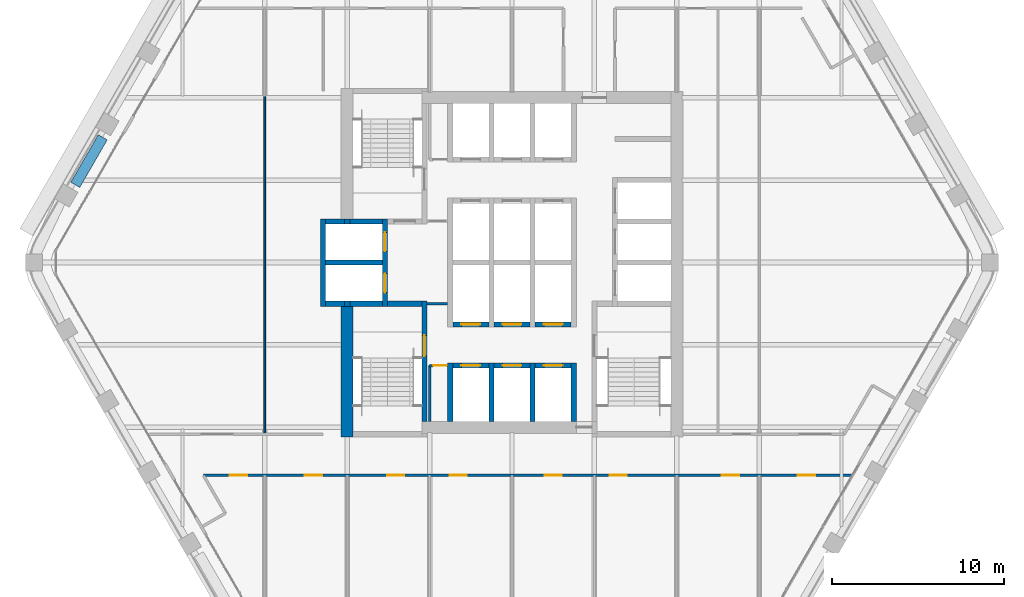
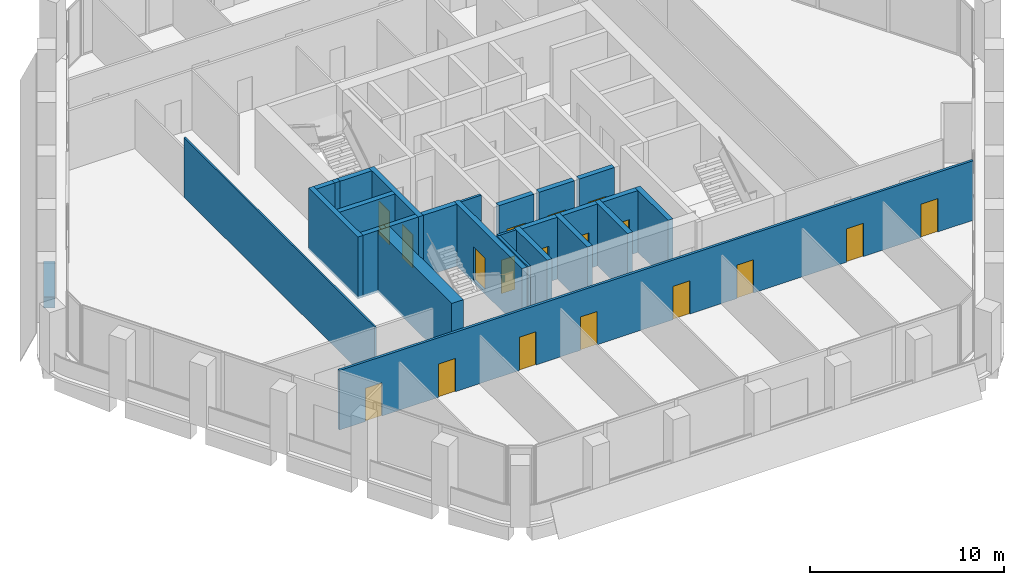
# One storey, part 9 of 15: 28 walls, 18 doors, 18 openings.
"""IFC4 building model written with IfcOpenShell, lengths in metres."""

import ifcopenshell
import ifcopenshell.guid

model = None  # the IFC model being written
_history = None  # IfcOwnerHistory: only IFC2X3 demands one
_inside = {}  # id of a spatial element -> (the spatial element, [elements in it])
_under = {}  # id of a project, library or spatial element -> (it, [spatial elements below it])
_declared = {}  # id of a project -> (the project, [libraries it declares])
_typed = {}  # id of a type object -> (the type object, [elements of that type])
_made_of = {}  # id of a material, layer set ... -> (it, [elements and type objects made of it])


def new_model(schema):
    """Start an empty IFC model of exactly this schema.

    Asked for "IFC4X3", IfcOpenShell would pick the latest addendum, in which some entities
    have other attributes; the version numbers below select the first issue.
    IFC2X3 requires an IfcOwnerHistory on every rooted entity: one is made here for all.
    """
    global model, _history
    if schema == "IFC4X3":
        model = ifcopenshell.file(schema_version=(4, 3, 0, 0))
    else:
        model = ifcopenshell.file(schema=schema)
    _inside.clear()
    _under.clear()
    _declared.clear()
    _typed.clear()
    _made_of.clear()
    _history = None
    if model.schema == "IFC2X3":
        org = make("IfcOrganization", Name="unknown")
        user = make(
            "IfcPersonAndOrganization",
            ThePerson=make("IfcPerson", FamilyName="unknown"),
            TheOrganization=org,
        )
        app = make(
            "IfcApplication",
            ApplicationDeveloper=org,
            Version="unknown",
            ApplicationFullName="unknown",
            ApplicationIdentifier="unknown",
        )
        _history = make(
            "IfcOwnerHistory",
            OwningUser=user,
            OwningApplication=app,
            ChangeAction="ADDED",
            CreationDate=0,
        )
    return model


def make(cls, **values):
    """One entity of the class cls with the attributes given. An attribute that is None is left unset."""
    return model.create_entity(
        cls, **{name: value for name, value in values.items() if value is not None}
    )


def rooted(cls, **values):
    """An entity with a GlobalId (a new one), such as an element, a storey or a relation."""
    return make(cls, GlobalId=ifcopenshell.guid.new(), OwnerHistory=_history, **values)


def si_unit(unit_type, name, prefix=None):
    """IfcSIUnit, for example si_unit("LENGTHUNIT", "METRE", prefix="MILLI")."""
    return make("IfcSIUnit", UnitType=unit_type, Prefix=prefix, Name=name)


def assignment(units):
    """IfcUnitAssignment: the units of a project."""
    return None if units is None else make("IfcUnitAssignment", Units=units)


def point(xyz):
    """IfcCartesianPoint."""
    return None if xyz is None else make("IfcCartesianPoint", Coordinates=xyz)


def direction(xyz):
    """IfcDirection."""
    return None if xyz is None else make("IfcDirection", DirectionRatios=xyz)


def frame(location, z_axis=None, x_axis=None):
    """IfcAxis2Placement3D, a coordinate frame: its origin and axes. An axis left out is left unset."""
    return make(
        "IfcAxis2Placement3D",
        Location=point(location),
        Axis=direction(z_axis),
        RefDirection=direction(x_axis),
    )


def frame_2d(location, x_axis=None):
    """IfcAxis2Placement2D, a coordinate frame in the plane: its origin and x axis."""
    return make(
        "IfcAxis2Placement2D", Location=point(location), RefDirection=direction(x_axis)
    )


def origin():
    """The frame at (0, 0, 0) with its axes left unset."""
    return frame((0.0, 0.0, 0.0))


def place(relative_to, where):
    """IfcLocalPlacement: puts the frame where relative to a parent placement (None: the world)."""
    return make(
        "IfcLocalPlacement", PlacementRelTo=relative_to, RelativePlacement=where
    )


def context(
    kind, dimensions, precision=None, world=None, true_north=None, identifier=None
):
    """IfcGeometricRepresentationContext, for example the 3D "Model" context."""
    return make(
        "IfcGeometricRepresentationContext",
        ContextIdentifier=identifier,
        ContextType=kind,
        CoordinateSpaceDimension=dimensions,
        Precision=precision,
        WorldCoordinateSystem=world,
        TrueNorth=true_north,
    )


def subcontext(parent, identifier, kind, view, scale=None):
    """IfcGeometricRepresentationSubContext, for example "Body" below "Model"."""
    return make(
        "IfcGeometricRepresentationSubContext",
        ContextIdentifier=identifier,
        ContextType=kind,
        ParentContext=parent,
        TargetScale=scale,
        TargetView=view,
    )


def project(units=None, contexts=None):
    """IfcProject with its units and contexts."""
    return rooted(
        "IfcProject",
        Name="project",
        RepresentationContexts=contexts,
        UnitsInContext=assignment(units),
    )


def spatial(cls, under=None, at=None, **own):
    """A site, building, storey or space (cls), placed at a placement, below another one or the project."""
    s = rooted(cls, ObjectPlacement=at, **own)
    if under is not None:
        _under.setdefault(under.id(), (under, []))[1].append(s)
    return s


def profile(cls, at=None, kind="AREA", **sizes):
    """A parametric profile (cls). Its sizes go by their IFC names, for example OverallWidth=200.0."""
    return make(cls, ProfileType=kind, Position=at, **sizes)


def rectangle(**sizes):
    """IfcRectangleProfileDef."""
    return profile("IfcRectangleProfileDef", **sizes)


def extrude(swept, where, along, depth):
    """IfcExtrudedAreaSolid: the profile swept, set in the frame where, extruded along a direction by depth."""
    return make(
        "IfcExtrudedAreaSolid",
        SweptArea=swept,
        Position=where,
        ExtrudedDirection=direction(along),
        Depth=depth,
    )


def shape(context_of_items, identifier, shape_type, items):
    """IfcShapeRepresentation: the items that make up one representation, for example the "Body"."""
    return make(
        "IfcShapeRepresentation",
        ContextOfItems=context_of_items,
        RepresentationIdentifier=identifier,
        RepresentationType=shape_type,
        Items=items,
    )


def material(Name=None, Category=None):
    """IfcMaterial."""
    return make("IfcMaterial", Name=Name, Category=Category)


def layer(
    of_material, thickness, ventilated=None, Name=None, Category=None, Priority=None
):
    """IfcMaterialLayer: one layer of a wall or slab, of a material (None: an air gap)."""
    return make(
        "IfcMaterialLayer",
        Material=of_material,
        LayerThickness=thickness,
        IsVentilated=ventilated,
        Name=Name,
        Category=Category,
        Priority=Priority,
    )


def layer_set(layers, Name=None):
    """IfcMaterialLayerSet."""
    return make("IfcMaterialLayerSet", MaterialLayers=layers, LayerSetName=Name)


def made_of(thing, what):
    """Note that an element or type object is made of a material, layer set ...; save() writes the relation."""
    if what is not None:
        _made_of.setdefault(what.id(), (what, []))[1].append(thing)
    return thing


def type_object(cls, material=None, **own):
    """A type object (cls), such as IfcWallType, which elements share."""
    return made_of(rooted(cls, **own), material)


def element(
    cls,
    number,
    at=None,
    inside=None,
    cuts=None,
    type_object=None,
    material=None,
    context=None,
    identifier="Body",
    shape_type=None,
    held_by="IfcProductDefinitionShape",
    body=None,
    shapes=None,
    **own,
):
    """One element of the class cls, such as IfcWall. Its Tag is "e" and its number.

    at: its placement. inside: the storey or other place that contains it. cuts: it is an
    opening in that element (IfcRelVoidsElement). A single representation is given by context,
    identifier, shape_type and body (its items); several are given by shapes. held_by: the class
    of the entity that holds the representations. save() writes the other relations.
    """
    e = rooted(cls, Tag="e%d" % number, ObjectPlacement=at, **own)
    if body is not None:
        shapes = [shape(context, identifier, shape_type, body)]
    if shapes is not None:
        e.Representation = make(held_by, Representations=shapes)
    if inside is not None:
        _inside.setdefault(inside.id(), (inside, []))[1].append(e)
    if cuts is not None:
        rooted(
            "IfcRelVoidsElement", RelatingBuildingElement=cuts, RelatedOpeningElement=e
        )
    if type_object is not None:
        _typed.setdefault(type_object.id(), (type_object, []))[1].append(e)
    return made_of(e, material)


def fill(opening, filler):
    """IfcRelFillsElement: the door or window that sits in an opening."""
    return rooted(
        "IfcRelFillsElement",
        RelatingOpeningElement=opening,
        RelatedBuildingElement=filler,
    )


def aggregate(whole, parts):
    """IfcRelAggregates: a whole, such as a stair, and the parts it consists of."""
    return rooted("IfcRelAggregates", RelatingObject=whole, RelatedObjects=parts)


def save(model, path):
    """Write the relations noted so far, then the file.

    IfcRelAggregates (storeys below a building ...), IfcRelContainedInSpatialStructure (elements
    in a storey), IfcRelDefinesByType, IfcRelAssociatesMaterial and IfcRelDeclares: one each for
    every whole, place, type object, material and project.
    """
    for whole, parts in _under.values():
        aggregate(whole, parts)
    for where, things in _inside.values():
        rooted(
            "IfcRelContainedInSpatialStructure",
            RelatedElements=things,
            RelatingStructure=where,
        )
    for kind, things in _typed.values():
        rooted("IfcRelDefinesByType", RelatedObjects=things, RelatingType=kind)
    for what, things in _made_of.values():
        rooted("IfcRelAssociatesMaterial", RelatedObjects=things, RelatingMaterial=what)
    for by, libraries in _declared.values():
        rooted("IfcRelDeclares", RelatingContext=by, RelatedDefinitions=libraries)
    model.write(path)


model = new_model("IFC4")

# Units and contexts
model_context = context("Model", 3, precision=1e-05, world=origin(), true_north=direction((0.0, 1.0)))
body_context = subcontext(model_context, "Body", "Model", "MODEL_VIEW")
ifc_project = project(units=[si_unit("LENGTHUNIT", "METRE"), si_unit("AREAUNIT", "SQUARE_METRE"), si_unit("VOLUMEUNIT", "CUBIC_METRE"), si_unit("PLANEANGLEUNIT", "RADIAN"), si_unit("MASSUNIT", "GRAM", prefix="KILO")], contexts=[model_context])

# Site, building, storey
site_placement = place(None, origin())
site = spatial("IfcSite", under=ifc_project, at=site_placement, CompositionType="ELEMENT")
building_placement = place(site_placement, origin())
building = spatial("IfcBuilding", under=site, at=building_placement, Name="Kolab Exchange Tower", CompositionType="ELEMENT")
storey_placement = place(building_placement, frame((0.0, 0.0, 185.60009765625)))
storey = spatial("IfcBuildingStorey", under=building, at=storey_placement, Name="L39", CompositionType="ELEMENT", Elevation=185.60009765625)

# Wall
ifc_material_1 = material(Name="Concrete C60/75", Category="concrete")
ifc_layer_1 = layer(ifc_material_1, 0.699951171875)
ifc_layer_set_1 = layer_set([ifc_layer_1], Name="Concrete C60/75")
wall_type_1 = type_object("IfcWallType", Name="CORE WALL 700 C60/75", PredefinedType="SHEAR", material=ifc_layer_set_1)
wall_1_placement = place(storey_placement, frame((-9.60009765625, -10.14990234375, -0.150146484375), z_axis=(0.0, 0.0, 1.0), x_axis=(0.0, 1.0, 0.0)))
element("IfcWall", 1, at=wall_1_placement, inside=storey, type_object=wall_type_1, Name="wall/L39/core/034", PredefinedType="SHEAR", context=body_context, shape_type="SweptSolid", body=[
    extrude(rectangle(XDim=7.599853515625, YDim=0.699951171875, at=frame_2d((3.7998046875, 0.0))), origin(), (0.0, 0.0, 1.0), 3.900146484375),
])

# Wall, opening, door
ifc_material_2 = material(Name="Concrete C50/60", Category="concrete")
ifc_layer_2 = layer(ifc_material_2, 0.300048828125)
ifc_layer_set_2 = layer_set([ifc_layer_2], Name="Concrete C50/60")
wall_type_2 = type_object("IfcWallType", Name="LIFT SHAFT WALL 300 C50/60", PredefinedType="STANDARD", material=ifc_layer_set_2)
wall_2_placement = place(storey_placement, frame((-3.449951171875, -6.0, -0.150146484375), z_axis=(0.0, 0.0, 1.0), x_axis=(1.0, 0.0, 0.0)))
wall_2 = element("IfcWall", 2, at=wall_2_placement, inside=storey, type_object=wall_type_2, Name="wall/L39/core/003", PredefinedType="STANDARD", context=body_context, shape_type="SweptSolid", body=[
    extrude(rectangle(XDim=2.099853515625, YDim=0.300048828125, at=frame_2d((1.0498046875, 0.0))), origin(), (0.0, 0.0, 1.0), 3.900146484375),
])
opening_1_placement = place(wall_2_placement, frame((0.5, 0.0, 0.14990234375)))
opening_1 = element("IfcOpeningElement", 3, at=opening_1_placement, cuts=wall_2, Name="Opening LD1-110", PredefinedType="OPENING", context=body_context, shape_type="SweptSolid", body=[
    extrude(rectangle(XDim=1.10009765625, YDim=2.10009765625, at=frame_2d((0.550048828125, 1.050048828125))), frame((0.0, 0.16015625, 0.0), z_axis=(0.0, -1.0, 0.0), x_axis=(1.0, 0.0, 0.0)), (0.0, 0.0, 1.0), 0.320068359375),
])
ifc_material_3 = material(Name="Stainless steel 316", Category="steel")
door_type_1 = type_object("IfcDoorType", Name="LANDING DOOR 1100 PASSENGER", OperationType="DOUBLE_DOOR_SLIDING", PredefinedType="DOOR", material=ifc_material_3)
door_1_placement = place(opening_1_placement, origin())
door_1 = element("IfcDoor", 4, at=door_1_placement, inside=storey, type_object=door_type_1, Name="Landing door HR10", OperationType="DOUBLE_DOOR_SLIDING", OverallHeight=2.10009765625, OverallWidth=1.10009765625, PredefinedType="DOOR", context=body_context, shape_type="SweptSolid", body=[
    extrude(rectangle(XDim=1.10009765625, YDim=2.10009765625, at=frame_2d((0.550048828125, 1.050048828125))), frame((0.0, 0.02490234375, 0.0), z_axis=(0.0, -1.0, 0.0), x_axis=(1.0, 0.0, 0.0)), (0.0, 0.0, 1.0), 0.050048828125),
])
fill(opening_1, door_1)

wall_3_placement = place(storey_placement, frame((-1.050048828125, -6.0, -0.150146484375), z_axis=(0.0, 0.0, 1.0), x_axis=(1.0, 0.0, 0.0)))
wall_3 = element("IfcWall", 5, at=wall_3_placement, inside=storey, type_object=wall_type_2, Name="wall/L39/core/004", PredefinedType="STANDARD", context=body_context, shape_type="SweptSolid", body=[
    extrude(rectangle(XDim=2.10009765625, YDim=0.300048828125, at=frame_2d((1.050048828125, 0.0))), origin(), (0.0, 0.0, 1.0), 3.900146484375),
])
opening_2_placement = place(wall_3_placement, frame((0.5, 0.0, 0.14990234375)))
opening_2 = element("IfcOpeningElement", 6, at=opening_2_placement, cuts=wall_3, Name="Opening LD1-111", PredefinedType="OPENING", context=body_context, shape_type="SweptSolid", body=[
    extrude(rectangle(XDim=1.10009765625, YDim=2.10009765625, at=frame_2d((0.550048828125, 1.050048828125))), frame((0.0, 0.16015625, 0.0), z_axis=(0.0, -1.0, 0.0), x_axis=(1.0, 0.0, 0.0)), (0.0, 0.0, 1.0), 0.320068359375),
])
door_2_placement = place(opening_2_placement, origin())
door_2 = element("IfcDoor", 7, at=door_2_placement, inside=storey, type_object=door_type_1, Name="Landing door HR11", OperationType="DOUBLE_DOOR_SLIDING", OverallHeight=2.10009765625, OverallWidth=1.10009765625, PredefinedType="DOOR", context=body_context, shape_type="SweptSolid", body=[
    extrude(rectangle(XDim=1.10009765625, YDim=2.10009765625, at=frame_2d((0.550048828125, 1.050048828125))), frame((0.0, 0.02490234375, 0.0), z_axis=(0.0, -1.0, 0.0), x_axis=(1.0, 0.0, 0.0)), (0.0, 0.0, 1.0), 0.050048828125),
])
fill(opening_2, door_2)

wall_4_placement = place(storey_placement, frame((1.35009765625, -6.0, -0.150146484375), z_axis=(0.0, 0.0, 1.0), x_axis=(1.0, 0.0, 0.0)))
wall_4 = element("IfcWall", 8, at=wall_4_placement, inside=storey, type_object=wall_type_2, Name="wall/L39/core/005", PredefinedType="STANDARD", context=body_context, shape_type="SweptSolid", body=[
    extrude(rectangle(XDim=2.099853515625, YDim=0.300048828125, at=frame_2d((1.0498046875, 0.0))), origin(), (0.0, 0.0, 1.0), 3.900146484375),
])
opening_3_placement = place(wall_4_placement, frame((0.5, 0.0, 0.14990234375)))
opening_3 = element("IfcOpeningElement", 9, at=opening_3_placement, cuts=wall_4, Name="Opening LD1-112", PredefinedType="OPENING", context=body_context, shape_type="SweptSolid", body=[
    extrude(rectangle(XDim=1.10009765625, YDim=2.10009765625, at=frame_2d((0.550048828125, 1.050048828125))), frame((0.0, 0.16015625, 0.0), z_axis=(0.0, -1.0, 0.0), x_axis=(1.0, 0.0, 0.0)), (0.0, 0.0, 1.0), 0.320068359375),
])
door_3_placement = place(opening_3_placement, origin())
door_3 = element("IfcDoor", 10, at=door_3_placement, inside=storey, type_object=door_type_1, Name="Landing door HR12", OperationType="DOUBLE_DOOR_SLIDING", OverallHeight=2.10009765625, OverallWidth=1.10009765625, PredefinedType="DOOR", context=body_context, shape_type="SweptSolid", body=[
    extrude(rectangle(XDim=1.10009765625, YDim=2.10009765625, at=frame_2d((0.550048828125, 1.050048828125))), frame((0.0, 0.02490234375, 0.0), z_axis=(0.0, -1.0, 0.0), x_axis=(1.0, 0.0, 0.0)), (0.0, 0.0, 1.0), 0.050048828125),
])
fill(opening_3, door_3)

wall_5_placement = place(storey_placement, frame((-3.449951171875, -3.60009765625, -0.150146484375), z_axis=(0.0, 0.0, 1.0), x_axis=(1.0, 0.0, 0.0)))
wall_5 = element("IfcWall", 11, at=wall_5_placement, inside=storey, type_object=wall_type_2, Name="wall/L39/core/006", PredefinedType="STANDARD", context=body_context, shape_type="SweptSolid", body=[
    extrude(rectangle(XDim=2.099853515625, YDim=0.300048828125, at=frame_2d((1.0498046875, 0.0))), origin(), (0.0, 0.0, 1.0), 3.900146484375),
])
opening_4_placement = place(wall_5_placement, frame((0.5, 0.0, 0.14990234375)))
opening_4 = element("IfcOpeningElement", 12, at=opening_4_placement, cuts=wall_5, Name="Opening LD1-118", PredefinedType="OPENING", context=body_context, shape_type="SweptSolid", body=[
    extrude(rectangle(XDim=1.10009765625, YDim=2.10009765625, at=frame_2d((0.550048828125, 1.050048828125))), frame((0.0, 0.16015625, 0.0), z_axis=(0.0, -1.0, 0.0), x_axis=(1.0, 0.0, 0.0)), (0.0, 0.0, 1.0), 0.320068359375),
])
door_4_placement = place(opening_4_placement, origin())
door_4 = element("IfcDoor", 13, at=door_4_placement, inside=storey, type_object=door_type_1, Name="Landing door HR7", OperationType="DOUBLE_DOOR_SLIDING", OverallHeight=2.10009765625, OverallWidth=1.10009765625, PredefinedType="DOOR", context=body_context, shape_type="SweptSolid", body=[
    extrude(rectangle(XDim=1.10009765625, YDim=2.10009765625, at=frame_2d((0.550048828125, 1.050048828125))), frame((0.0, 0.02490234375, 0.0), z_axis=(0.0, -1.0, 0.0), x_axis=(1.0, 0.0, 0.0)), (0.0, 0.0, 1.0), 0.050048828125),
])
fill(opening_4, door_4)

wall_6_placement = place(storey_placement, frame((-1.050048828125, -3.60009765625, -0.150146484375), z_axis=(0.0, 0.0, 1.0), x_axis=(1.0, 0.0, 0.0)))
wall_6 = element("IfcWall", 14, at=wall_6_placement, inside=storey, type_object=wall_type_2, Name="wall/L39/core/007", PredefinedType="STANDARD", context=body_context, shape_type="SweptSolid", body=[
    extrude(rectangle(XDim=2.10009765625, YDim=0.300048828125, at=frame_2d((1.050048828125, 0.0))), origin(), (0.0, 0.0, 1.0), 3.900146484375),
])
opening_5_placement = place(wall_6_placement, frame((0.5, 0.0, 0.14990234375)))
opening_5 = element("IfcOpeningElement", 15, at=opening_5_placement, cuts=wall_6, Name="Opening LD1-119", PredefinedType="OPENING", context=body_context, shape_type="SweptSolid", body=[
    extrude(rectangle(XDim=1.10009765625, YDim=2.10009765625, at=frame_2d((0.550048828125, 1.050048828125))), frame((0.0, 0.16015625, 0.0), z_axis=(0.0, -1.0, 0.0), x_axis=(1.0, 0.0, 0.0)), (0.0, 0.0, 1.0), 0.320068359375),
])
door_5_placement = place(opening_5_placement, origin())
door_5 = element("IfcDoor", 16, at=door_5_placement, inside=storey, type_object=door_type_1, Name="Landing door HR8", OperationType="DOUBLE_DOOR_SLIDING", OverallHeight=2.10009765625, OverallWidth=1.10009765625, PredefinedType="DOOR", context=body_context, shape_type="SweptSolid", body=[
    extrude(rectangle(XDim=1.10009765625, YDim=2.10009765625, at=frame_2d((0.550048828125, 1.050048828125))), frame((0.0, 0.02490234375, 0.0), z_axis=(0.0, -1.0, 0.0), x_axis=(1.0, 0.0, 0.0)), (0.0, 0.0, 1.0), 0.050048828125),
])
fill(opening_5, door_5)

wall_7_placement = place(storey_placement, frame((1.35009765625, -3.60009765625, -0.150146484375), z_axis=(0.0, 0.0, 1.0), x_axis=(1.0, 0.0, 0.0)))
wall_7 = element("IfcWall", 17, at=wall_7_placement, inside=storey, type_object=wall_type_2, Name="wall/L39/core/008", PredefinedType="STANDARD", context=body_context, shape_type="SweptSolid", body=[
    extrude(rectangle(XDim=2.099853515625, YDim=0.300048828125, at=frame_2d((1.0498046875, 0.0))), origin(), (0.0, 0.0, 1.0), 3.900146484375),
])
opening_6_placement = place(wall_7_placement, frame((0.5, 0.0, 0.14990234375)))
opening_6 = element("IfcOpeningElement", 18, at=opening_6_placement, cuts=wall_7, Name="Opening LD1-120", PredefinedType="OPENING", context=body_context, shape_type="SweptSolid", body=[
    extrude(rectangle(XDim=1.10009765625, YDim=2.10009765625, at=frame_2d((0.550048828125, 1.050048828125))), frame((0.0, 0.16015625, 0.0), z_axis=(0.0, -1.0, 0.0), x_axis=(1.0, 0.0, 0.0)), (0.0, 0.0, 1.0), 0.320068359375),
])
door_6_placement = place(opening_6_placement, origin())
door_6 = element("IfcDoor", 19, at=door_6_placement, inside=storey, type_object=door_type_1, Name="Landing door HR9", OperationType="DOUBLE_DOOR_SLIDING", OverallHeight=2.10009765625, OverallWidth=1.10009765625, PredefinedType="DOOR", context=body_context, shape_type="SweptSolid", body=[
    extrude(rectangle(XDim=1.10009765625, YDim=2.10009765625, at=frame_2d((0.550048828125, 1.050048828125))), frame((0.0, 0.02490234375, 0.0), z_axis=(0.0, -1.0, 0.0), x_axis=(1.0, 0.0, 0.0)), (0.0, 0.0, 1.0), 0.050048828125),
])
fill(opening_6, door_6)

# Walls
wall_8_placement = place(storey_placement, frame((-10.85009765625, -2.39990234375, -0.150146484375), z_axis=(0.0, 0.0, 1.0), x_axis=(1.0, 0.0, 0.0)))
element("IfcWall", 20, at=wall_8_placement, inside=storey, type_object=wall_type_2, Name="wall/L39/core/009", PredefinedType="STANDARD", context=body_context, shape_type="SweptSolid", body=[
    extrude(rectangle(XDim=1.10009765625, YDim=0.300048828125, at=frame_2d((0.550048828125, 0.0))), origin(), (0.0, 0.0, 1.0), 3.900146484375),
])
wall_9_placement = place(storey_placement, frame((-10.85009765625, 0.0, -0.150146484375), z_axis=(0.0, 0.0, 1.0), x_axis=(1.0, 0.0, 0.0)))
element("IfcWall", 21, at=wall_9_placement, inside=storey, type_object=wall_type_2, Name="wall/L39/core/014", PredefinedType="STANDARD", context=body_context, shape_type="SweptSolid", body=[
    extrude(rectangle(XDim=3.300048828125, YDim=0.300048828125, at=frame_2d((1.64990234375, 0.0))), origin(), (0.0, 0.0, 1.0), 3.900146484375),
])
wall_10_placement = place(storey_placement, frame((-10.85009765625, 2.39990234375, -0.150146484375), z_axis=(0.0, 0.0, 1.0), x_axis=(1.0, 0.0, 0.0)))
element("IfcWall", 22, at=wall_10_placement, inside=storey, type_object=wall_type_2, Name="wall/L39/core/019", PredefinedType="STANDARD", context=body_context, shape_type="SweptSolid", body=[
    extrude(rectangle(XDim=1.10009765625, YDim=0.300048828125, at=frame_2d((0.550048828125, 0.0))), origin(), (0.0, 0.0, 1.0), 3.900146484375),
])
wall_11_placement = place(storey_placement, frame((-11.0, -2.550048828125, -0.150146484375), z_axis=(0.0, 0.0, 1.0), x_axis=(0.0, 1.0, 0.0)))
element("IfcWall", 23, at=wall_11_placement, inside=storey, type_object=wall_type_2, Name="wall/L39/core/033", PredefinedType="STANDARD", context=body_context, shape_type="SweptSolid", body=[
    extrude(rectangle(XDim=5.10009765625, YDim=0.300048828125, at=frame_2d((2.550048828125, 0.0))), origin(), (0.0, 0.0, 1.0), 3.900146484375),
])

# Wall, openings, doors
wall_12_placement = place(storey_placement, frame((-7.39990234375, -2.550048828125, -0.150146484375), z_axis=(0.0, 0.0, 1.0), x_axis=(0.0, 1.0, 0.0)))
wall_12 = element("IfcWall", 24, at=wall_12_placement, inside=storey, type_object=wall_type_2, Name="wall/L39/core/038", PredefinedType="STANDARD", context=body_context, shape_type="SweptSolid", body=[
    extrude(rectangle(XDim=5.10009765625, YDim=0.300048828125, at=frame_2d((2.550048828125, 0.0))), origin(), (0.0, 0.0, 1.0), 3.900146484375),
])
opening_7_placement = place(wall_12_placement, frame((0.800048828125, 0.0, 0.14990234375)))
opening_7 = element("IfcOpeningElement", 25, at=opening_7_placement, cuts=wall_12, Name="Opening LD2-025", PredefinedType="OPENING", context=body_context, shape_type="SweptSolid", body=[
    extrude(rectangle(XDim=1.10009765625, YDim=2.10009765625, at=frame_2d((0.550048828125, 1.050048828125))), frame((0.0, 0.16015625, 0.0), z_axis=(0.0, -1.0, 0.0), x_axis=(1.0, 0.0, 0.0)), (0.0, 0.0, 1.0), 0.320068359375),
])
opening_8_placement = place(wall_12_placement, frame((3.199951171875, 0.0, 0.14990234375)))
opening_8 = element("IfcOpeningElement", 26, at=opening_8_placement, cuts=wall_12, Name="Opening LD2-026", PredefinedType="OPENING", context=body_context, shape_type="SweptSolid", body=[
    extrude(rectangle(XDim=1.10009765625, YDim=2.10009765625, at=frame_2d((0.550048828125, 1.050048828125))), frame((0.0, 0.16015625, 0.0), z_axis=(0.0, -1.0, 0.0), x_axis=(1.0, 0.0, 0.0)), (0.0, 0.0, 1.0), 0.320068359375),
])
door_type_2 = type_object("IfcDoorType", Name="LANDING DOOR 1100 FIREFIGHTING", OperationType="DOUBLE_DOOR_SLIDING", PredefinedType="DOOR", material=ifc_material_3)
door_7_placement = place(opening_7_placement, origin())
door_7 = element("IfcDoor", 27, at=door_7_placement, inside=storey, type_object=door_type_2, Name="Landing door FF1", OperationType="DOUBLE_DOOR_SLIDING", OverallHeight=2.10009765625, OverallWidth=1.10009765625, PredefinedType="DOOR", context=body_context, shape_type="SweptSolid", body=[
    extrude(rectangle(XDim=1.10009765625, YDim=2.10009765625, at=frame_2d((0.550048828125, 1.050048828125))), frame((0.0, 0.02490234375, 0.0), z_axis=(0.0, -1.0, 0.0), x_axis=(1.0, 0.0, 0.0)), (0.0, 0.0, 1.0), 0.050048828125),
])
fill(opening_7, door_7)
door_8_placement = place(opening_8_placement, origin())
door_8 = element("IfcDoor", 28, at=door_8_placement, inside=storey, type_object=door_type_2, Name="Landing door FF2", OperationType="DOUBLE_DOOR_SLIDING", OverallHeight=2.10009765625, OverallWidth=1.10009765625, PredefinedType="DOOR", context=body_context, shape_type="SweptSolid", body=[
    extrude(rectangle(XDim=1.10009765625, YDim=2.10009765625, at=frame_2d((0.550048828125, 1.050048828125))), frame((0.0, 0.02490234375, 0.0), z_axis=(0.0, -1.0, 0.0), x_axis=(1.0, 0.0, 0.0)), (0.0, 0.0, 1.0), 0.050048828125),
])
fill(opening_8, door_8)

# Walls
for number, where, z_axis, x_axis, name in (
    (29, (-3.60009765625, -9.25, -0.150146484375), (0.0, 0.0, 1.0), (0.0, 1.0, 0.0), "wall/L39/core/043"),
    (30, (-1.199951171875, -9.25, -0.150146484375), (0.0, 0.0, 1.0), (0.0, 1.0, 0.0), "wall/L39/core/046"),
    (31, (1.199951171875, -9.25, -0.150146484375), (0.0, 0.0, 1.0), (0.0, 1.0, 0.0), "wall/L39/core/049"),
    (32, (3.60009765625, -9.25, -0.150146484375), (0.0, 0.0, 1.0), (0.0, 1.0, 0.0), "wall/L39/core/052"),
):
    element("IfcWall", number, at=place(storey_placement, frame(where, z_axis=z_axis, x_axis=x_axis)), inside=storey, type_object=wall_type_2, Name=name, PredefinedType="STANDARD", context=body_context, shape_type="SweptSolid", body=[
        extrude(rectangle(XDim=3.39990234375, YDim=0.300048828125, at=frame_2d((1.699951171875, 0.0))), origin(), (0.0, 0.0, 1.0), 3.900146484375),
    ])
ifc_material_4 = material(Name="Gypsum board", Category="gypsum")
ifc_layer_3 = layer(ifc_material_4, 0.10009765625)
ifc_layer_set_3 = layer_set([ifc_layer_3], Name="Gypsum board")
wall_type_3 = type_object("IfcWallType", Name="PARTITION 100", PredefinedType="PARTITIONING", material=ifc_layer_set_3)
wall_13_placement = place(storey_placement, frame((-14.39990234375, -10.0, 0.0), z_axis=(0.0, 0.0, 1.0), x_axis=(0.0, 1.0, 0.0)))
element("IfcWall", 33, at=wall_13_placement, inside=storey, type_object=wall_type_3, Name="Partition 022", PredefinedType="PARTITIONING", context=body_context, shape_type="SweptSolid", body=[
    extrude(rectangle(XDim=19.693603515625, YDim=0.10009765625, at=frame_2d((9.8466796875, 0.0))), origin(), (0.0, 0.0, 1.0), 3.75),
])
ifc_layer_4 = layer(ifc_material_4, 0.14990234375)
ifc_layer_set_4 = layer_set([ifc_layer_4], Name="Gypsum board")
wall_type_4 = type_object("IfcWallType", Name="PARTITION 150 FIRE-RATED", PredefinedType="PARTITIONING", material=ifc_layer_set_4)
wall_14_placement = place(storey_placement, frame((-4.800048828125, -9.25, 0.0), z_axis=(0.0, 0.0, 1.0), x_axis=(0.0, 1.0, 0.0)))
element("IfcWall", 34, at=wall_14_placement, inside=storey, type_object=wall_type_4, Name="Partition 015", PredefinedType="PARTITIONING", context=body_context, shape_type="SweptSolid", body=[
    extrude(rectangle(XDim=3.25, YDim=0.14990234375, at=frame_2d((1.625, 0.0))), origin(), (0.0, 0.0, 1.0), 3.75),
])

# Wall, openings, doors
wall_15_placement = place(storey_placement, frame((-17.968994140625, -12.39990234375, 0.0), z_axis=(0.0, 0.0, 1.0), x_axis=(1.0, 0.0, 0.0)))
wall_15 = element("IfcWall", 35, at=wall_15_placement, inside=storey, type_object=wall_type_4, Name="Partition 029", PredefinedType="PARTITIONING", context=body_context, shape_type="SweptSolid", body=[
    extrude(rectangle(XDim=37.7392578125, YDim=0.14990234375, at=frame_2d((18.86962890625, 0.0))), origin(), (0.0, 0.0, 1.0), 3.75),
])
opening_9_placement = place(wall_15_placement, frame((1.534912109375, 0.0, 0.0)))
opening_9 = element("IfcOpeningElement", 36, at=opening_9_placement, cuts=wall_15, Name="Opening D1-526", PredefinedType="OPENING", context=body_context, shape_type="SweptSolid", body=[
    extrude(rectangle(XDim=1.0, YDim=2.10009765625, at=frame_2d((0.5, 1.050048828125))), frame((0.0, 0.0849609375, 0.0), z_axis=(0.0, -1.0, 0.0), x_axis=(1.0, 0.0, 0.0)), (0.0, 0.0, 1.0), 0.169921875),
])
opening_10_placement = place(wall_15_placement, frame((5.90380859375, 0.0, 0.0)))
opening_10 = element("IfcOpeningElement", 37, at=opening_10_placement, cuts=wall_15, Name="Opening D1-527", PredefinedType="OPENING", context=body_context, shape_type="SweptSolid", body=[
    extrude(rectangle(XDim=1.0, YDim=2.10009765625, at=frame_2d((0.5, 1.050048828125))), frame((0.0, 0.0849609375, 0.0), z_axis=(0.0, -1.0, 0.0), x_axis=(1.0, 0.0, 0.0)), (0.0, 0.0, 1.0), 0.169921875),
])
opening_11_placement = place(wall_15_placement, frame((10.703857421875, 0.0, 0.0)))
opening_11 = element("IfcOpeningElement", 38, at=opening_11_placement, cuts=wall_15, Name="Opening D1-528", PredefinedType="OPENING", context=body_context, shape_type="SweptSolid", body=[
    extrude(rectangle(XDim=1.0, YDim=2.10009765625, at=frame_2d((0.5, 1.050048828125))), frame((0.0, 0.0849609375, 0.0), z_axis=(0.0, -1.0, 0.0), x_axis=(1.0, 0.0, 0.0)), (0.0, 0.0, 1.0), 0.169921875),
])
opening_12_placement = place(wall_15_placement, frame((14.343994140625, 0.0, 0.0)))
opening_12 = element("IfcOpeningElement", 39, at=opening_12_placement, cuts=wall_15, Name="Opening D1-529", PredefinedType="OPENING", context=body_context, shape_type="SweptSolid", body=[
    extrude(rectangle(XDim=1.0, YDim=2.10009765625, at=frame_2d((0.5, 1.050048828125))), frame((0.0, 0.0849609375, 0.0), z_axis=(0.0, -1.0, 0.0), x_axis=(1.0, 0.0, 0.0)), (0.0, 0.0, 1.0), 0.169921875),
])
opening_13_placement = place(wall_15_placement, frame((19.868896484375, 0.0, 0.0)))
opening_13 = element("IfcOpeningElement", 40, at=opening_13_placement, cuts=wall_15, Name="Opening D1-530", PredefinedType="OPENING", context=body_context, shape_type="SweptSolid", body=[
    extrude(rectangle(XDim=1.0, YDim=2.10009765625, at=frame_2d((0.5, 1.050048828125))), frame((0.0, 0.0849609375, 0.0), z_axis=(0.0, -1.0, 0.0), x_axis=(1.0, 0.0, 0.0)), (0.0, 0.0, 1.0), 0.169921875),
])
opening_14_placement = place(wall_15_placement, frame((23.65380859375, 0.0, 0.0)))
opening_14 = element("IfcOpeningElement", 41, at=opening_14_placement, cuts=wall_15, Name="Opening D1-531", PredefinedType="OPENING", context=body_context, shape_type="SweptSolid", body=[
    extrude(rectangle(XDim=1.0, YDim=2.10009765625, at=frame_2d((0.5, 1.050048828125))), frame((0.0, 0.0849609375, 0.0), z_axis=(0.0, -1.0, 0.0), x_axis=(1.0, 0.0, 0.0)), (0.0, 0.0, 1.0), 0.169921875),
])
opening_15_placement = place(wall_15_placement, frame((30.19384765625, 0.0, 0.0)))
opening_15 = element("IfcOpeningElement", 42, at=opening_15_placement, cuts=wall_15, Name="Opening D1-532", PredefinedType="OPENING", context=body_context, shape_type="SweptSolid", body=[
    extrude(rectangle(XDim=1.0, YDim=2.10009765625, at=frame_2d((0.5, 1.050048828125))), frame((0.0, 0.0849609375, 0.0), z_axis=(0.0, -1.0, 0.0), x_axis=(1.0, 0.0, 0.0)), (0.0, 0.0, 1.0), 0.169921875),
])
opening_16_placement = place(wall_15_placement, frame((34.623291015625, 0.0, 0.0)))
opening_16 = element("IfcOpeningElement", 43, at=opening_16_placement, cuts=wall_15, Name="Opening D1-533", PredefinedType="OPENING", context=body_context, shape_type="SweptSolid", body=[
    extrude(rectangle(XDim=1.0, YDim=2.10009765625, at=frame_2d((0.5, 1.050048828125))), frame((0.0, 0.0849609375, 0.0), z_axis=(0.0, -1.0, 0.0), x_axis=(1.0, 0.0, 0.0)), (0.0, 0.0, 1.0), 0.169921875),
])
ifc_material_5 = material(Name="Steel S235", Category="steel")
door_type_3 = type_object("IfcDoorType", Name="FLUSH DOOR 1000 FD60", OperationType="SINGLE_SWING_LEFT", PredefinedType="DOOR", material=ifc_material_5)
door_9_placement = place(opening_9_placement, frame((1.0, 0.0, 0.0), z_axis=(0.0, 0.0, 1.0), x_axis=(-1.0, 0.0, 0.0)))
door_9 = element("IfcDoor", 44, at=door_9_placement, inside=storey, type_object=door_type_3, Name="Door L39-040", OperationType="SINGLE_SWING_RIGHT", OverallHeight=2.10009765625, OverallWidth=1.0, PredefinedType="DOOR", context=body_context, shape_type="SweptSolid", body=[
    extrude(rectangle(XDim=1.0, YDim=2.10009765625, at=frame_2d((0.5, 1.050048828125))), frame((0.0, 0.02490234375, 0.0), z_axis=(0.0, -1.0, 0.0), x_axis=(1.0, 0.0, 0.0)), (0.0, 0.0, 1.0), 0.050048828125),
])
fill(opening_9, door_9)
door_10_placement = place(opening_10_placement, frame((1.0, 0.0, 0.0), z_axis=(0.0, 0.0, 1.0), x_axis=(-1.0, 0.0, 0.0)))
door_10 = element("IfcDoor", 45, at=door_10_placement, inside=storey, type_object=door_type_3, Name="Door L39-041", OperationType="SINGLE_SWING_RIGHT", OverallHeight=2.10009765625, OverallWidth=1.0, PredefinedType="DOOR", context=body_context, shape_type="SweptSolid", body=[
    extrude(rectangle(XDim=1.0, YDim=2.10009765625, at=frame_2d((0.5, 1.050048828125))), frame((0.0, 0.02490234375, 0.0), z_axis=(0.0, -1.0, 0.0), x_axis=(1.0, 0.0, 0.0)), (0.0, 0.0, 1.0), 0.050048828125),
])
fill(opening_10, door_10)
door_11_placement = place(opening_11_placement, frame((1.0, 0.0, 0.0), z_axis=(0.0, 0.0, 1.0), x_axis=(-1.0, 0.0, 0.0)))
door_11 = element("IfcDoor", 46, at=door_11_placement, inside=storey, type_object=door_type_3, Name="Door L39-042", OperationType="SINGLE_SWING_RIGHT", OverallHeight=2.10009765625, OverallWidth=1.0, PredefinedType="DOOR", context=body_context, shape_type="SweptSolid", body=[
    extrude(rectangle(XDim=1.0, YDim=2.10009765625, at=frame_2d((0.5, 1.050048828125))), frame((0.0, 0.02490234375, 0.0), z_axis=(0.0, -1.0, 0.0), x_axis=(1.0, 0.0, 0.0)), (0.0, 0.0, 1.0), 0.050048828125),
])
fill(opening_11, door_11)
door_12_placement = place(opening_12_placement, frame((1.0, 0.0, 0.0), z_axis=(0.0, 0.0, 1.0), x_axis=(-1.0, 0.0, 0.0)))
door_12 = element("IfcDoor", 47, at=door_12_placement, inside=storey, type_object=door_type_3, Name="Door L39-043", OperationType="SINGLE_SWING_LEFT", OverallHeight=2.10009765625, OverallWidth=1.0, PredefinedType="DOOR", context=body_context, shape_type="SweptSolid", body=[
    extrude(rectangle(XDim=1.0, YDim=2.10009765625, at=frame_2d((0.5, 1.050048828125))), frame((0.0, 0.02490234375, 0.0), z_axis=(0.0, -1.0, 0.0), x_axis=(1.0, 0.0, 0.0)), (0.0, 0.0, 1.0), 0.050048828125),
])
fill(opening_12, door_12)
door_13_placement = place(opening_13_placement, frame((1.0, 0.0, 0.0), z_axis=(0.0, 0.0, 1.0), x_axis=(-1.0, 0.0, 0.0)))
door_13 = element("IfcDoor", 48, at=door_13_placement, inside=storey, type_object=door_type_3, Name="Door L39-044", OperationType="SINGLE_SWING_LEFT", OverallHeight=2.10009765625, OverallWidth=1.0, PredefinedType="DOOR", context=body_context, shape_type="SweptSolid", body=[
    extrude(rectangle(XDim=1.0, YDim=2.10009765625, at=frame_2d((0.5, 1.050048828125))), frame((0.0, 0.02490234375, 0.0), z_axis=(0.0, -1.0, 0.0), x_axis=(1.0, 0.0, 0.0)), (0.0, 0.0, 1.0), 0.050048828125),
])
fill(opening_13, door_13)
door_14_placement = place(opening_14_placement, frame((1.0, 0.0, 0.0), z_axis=(0.0, 0.0, 1.0), x_axis=(-1.0, 0.0, 0.0)))
door_14 = element("IfcDoor", 49, at=door_14_placement, inside=storey, type_object=door_type_3, Name="Door L39-045", OperationType="SINGLE_SWING_LEFT", OverallHeight=2.10009765625, OverallWidth=1.0, PredefinedType="DOOR", context=body_context, shape_type="SweptSolid", body=[
    extrude(rectangle(XDim=1.0, YDim=2.10009765625, at=frame_2d((0.5, 1.050048828125))), frame((0.0, 0.02490234375, 0.0), z_axis=(0.0, -1.0, 0.0), x_axis=(1.0, 0.0, 0.0)), (0.0, 0.0, 1.0), 0.050048828125),
])
fill(opening_14, door_14)
door_15_placement = place(opening_15_placement, frame((1.0, 0.0, 0.0), z_axis=(0.0, 0.0, 1.0), x_axis=(-1.0, 0.0, 0.0)))
door_15 = element("IfcDoor", 50, at=door_15_placement, inside=storey, type_object=door_type_3, Name="Door L39-046", OperationType="SINGLE_SWING_RIGHT", OverallHeight=2.10009765625, OverallWidth=1.0, PredefinedType="DOOR", context=body_context, shape_type="SweptSolid", body=[
    extrude(rectangle(XDim=1.0, YDim=2.10009765625, at=frame_2d((0.5, 1.050048828125))), frame((0.0, 0.02490234375, 0.0), z_axis=(0.0, -1.0, 0.0), x_axis=(1.0, 0.0, 0.0)), (0.0, 0.0, 1.0), 0.050048828125),
])
fill(opening_15, door_15)
door_16_placement = place(opening_16_placement, frame((1.0, 0.0, 0.0), z_axis=(0.0, 0.0, 1.0), x_axis=(-1.0, 0.0, 0.0)))
door_16 = element("IfcDoor", 51, at=door_16_placement, inside=storey, type_object=door_type_3, Name="Door L39-047", OperationType="SINGLE_SWING_RIGHT", OverallHeight=2.10009765625, OverallWidth=1.0, PredefinedType="DOOR", context=body_context, shape_type="SweptSolid", body=[
    extrude(rectangle(XDim=1.0, YDim=2.10009765625, at=frame_2d((0.5, 1.050048828125))), frame((0.0, 0.02490234375, 0.0), z_axis=(0.0, -1.0, 0.0), x_axis=(1.0, 0.0, 0.0)), (0.0, 0.0, 1.0), 0.050048828125),
])
fill(opening_16, door_16)

# Wall, opening, door
wall_16_placement = place(storey_placement, frame((-4.800048828125, -6.0, 0.0), z_axis=(0.0, 0.0, 1.0), x_axis=(1.0, 0.0, 0.0)))
wall_16 = element("IfcWall", 52, at=wall_16_placement, inside=storey, type_object=wall_type_4, Name="Partition 032", PredefinedType="PARTITIONING", context=body_context, shape_type="SweptSolid", body=[
    extrude(rectangle(XDim=1.050048828125, YDim=0.14990234375, at=frame_2d((0.52490234375, 0.0))), origin(), (0.0, 0.0, 1.0), 3.75),
])
opening_17_placement = place(wall_16_placement, frame((0.199951171875, 0.0, 0.0)))
opening_17 = element("IfcOpeningElement", 53, at=opening_17_placement, cuts=wall_16, Name="Opening D7-034", PredefinedType="OPENING", context=body_context, shape_type="SweptSolid", body=[
    extrude(rectangle(XDim=0.800048828125, YDim=2.10009765625, at=frame_2d((0.39990234375, 1.050048828125))), frame((0.0, 0.0849609375, 0.0), z_axis=(0.0, -1.0, 0.0), x_axis=(1.0, 0.0, 0.0)), (0.0, 0.0, 1.0), 0.169921875),
])
door_type_4 = type_object("IfcDoorType", Name="FLUSH DOOR 800 FD60", OperationType="SINGLE_SWING_LEFT", PredefinedType="DOOR", material=ifc_material_5)
door_17_placement = place(opening_17_placement, frame((0.800048828125, 0.0, 0.0), z_axis=(0.0, 0.0, 1.0), x_axis=(-1.0, 0.0, 0.0)))
door_17 = element("IfcDoor", 54, at=door_17_placement, inside=storey, type_object=door_type_4, Name="Door L39-024", OperationType="SINGLE_SWING_RIGHT", OverallHeight=2.10009765625, OverallWidth=0.800048828125, PredefinedType="DOOR", context=body_context, shape_type="SweptSolid", body=[
    extrude(rectangle(XDim=0.800048828125, YDim=2.10009765625, at=frame_2d((0.39990234375, 1.050048828125))), frame((0.0, 0.02490234375, 0.0), z_axis=(0.0, -1.0, 0.0), x_axis=(1.0, 0.0, 0.0)), (0.0, 0.0, 1.0), 0.050048828125),
])
fill(opening_17, door_17)

# Walls
wall_17_placement = place(storey_placement, frame((-4.949951171875, -2.39990234375, 0.0), z_axis=(0.0, 0.0, 1.0), x_axis=(1.0, 0.0, 0.0)))
element("IfcWall", 55, at=wall_17_placement, inside=storey, type_object=wall_type_4, Name="Fire partition", PredefinedType="PARTITIONING", context=body_context, shape_type="SweptSolid", body=[
    extrude(rectangle(XDim=1.199951171875, YDim=0.14990234375, at=frame_2d((0.60009765625, 0.0))), origin(), (0.0, 0.0, 1.0), 3.75),
])
ifc_material_6 = material(Name="Granite facing", Category="masonry")
ifc_layer_5 = layer(ifc_material_6, 0.0400390625)
ifc_material_7 = material(Name="Concrete C40/50 precast", Category="concrete")
ifc_layer_6 = layer(ifc_material_7, 0.56005859375)
ifc_layer_set_5 = layer_set([ifc_layer_5, ifc_layer_6], Name="Concrete C40/50 precast")
wall_type_5 = type_object("IfcWallType", Name="PLANTER BOX 600 X 700 SOIL DEPTH 550", PredefinedType="USERDEFINED", material=ifc_layer_set_5)
wall_18_placement = place(storey_placement, frame((-25.43701171875, 4.524658203125, 0.0), z_axis=(0.0, 0.0, 1.0), x_axis=(0.499938187974, 0.866061088033, 0.0)))
element("IfcWall", 56, at=wall_18_placement, inside=storey, type_object=wall_type_5, Name="Planter", ObjectType="PLANTER", PredefinedType="USERDEFINED", context=body_context, shape_type="SweptSolid", body=[
    extrude(rectangle(XDim=3.2001953125, YDim=0.60009765625, at=frame_2d((1.60009765625, 0.0))), origin(), (0.0, 0.0, 1.0), 0.699951171875),
])
ifc_layer_7 = layer(ifc_material_2, 0.300048828125)
ifc_layer_set_6 = layer_set([ifc_layer_7], Name="Concrete C50/60")
wall_type_6 = type_object("IfcWallType", Name="STAIR ENCLOSURE WALL 300 C50/60", PredefinedType="STANDARD", material=ifc_layer_set_6)
wall_19_placement = place(storey_placement, frame((-9.449951171875, -2.39990234375, -0.150146484375), z_axis=(0.0, 0.0, 1.0), x_axis=(1.0, 0.0, 0.0)))
element("IfcWall", 57, at=wall_19_placement, inside=storey, type_object=wall_type_6, Name="wall/L39/core/010", PredefinedType="STANDARD", context=body_context, shape_type="SweptSolid", body=[
    extrude(rectangle(XDim=1.89990234375, YDim=0.300048828125, at=frame_2d((0.949951171875, 0.0))), origin(), (0.0, 0.0, 1.0), 3.900146484375),
])
wall_20_placement = place(storey_placement, frame((-7.25, -2.39990234375, -0.150146484375), z_axis=(0.0, 0.0, 1.0), x_axis=(1.0, 0.0, 0.0)))
element("IfcWall", 58, at=wall_20_placement, inside=storey, type_object=wall_type_6, Name="wall/L39/core/011", PredefinedType="STANDARD", context=body_context, shape_type="SweptSolid", body=[
    extrude(rectangle(XDim=2.0, YDim=0.300048828125, at=frame_2d((1.0, 0.0))), origin(), (0.0, 0.0, 1.0), 3.900146484375),
])
wall_21_placement = place(storey_placement, frame((-9.449951171875, 2.39990234375, -0.150146484375), z_axis=(0.0, 0.0, 1.0), x_axis=(1.0, 0.0, 0.0)))
element("IfcWall", 59, at=wall_21_placement, inside=storey, type_object=wall_type_6, Name="wall/L39/core/020", PredefinedType="STANDARD", context=body_context, shape_type="SweptSolid", body=[
    extrude(rectangle(XDim=1.89990234375, YDim=0.300048828125, at=frame_2d((0.949951171875, 0.0))), origin(), (0.0, 0.0, 1.0), 3.900146484375),
])
for number, where, z_axis, x_axis, name in (
    (60, (-9.60009765625, -2.550048828125, -0.150146484375), (0.0, 0.0, 1.0), (0.0, 1.0, 0.0), "wall/L39/core/035"),
    (61, (-9.60009765625, 2.25, -0.150146484375), (0.0, 0.0, 1.0), (0.0, 1.0, 0.0), "wall/L39/core/036"),
):
    element("IfcWall", number, at=place(storey_placement, frame(where, z_axis=z_axis, x_axis=x_axis)), inside=storey, type_object=wall_type_6, Name=name, PredefinedType="STANDARD", context=body_context, shape_type="SweptSolid", body=[
        extrude(rectangle(XDim=0.300048828125, YDim=0.300048828125, at=frame_2d((0.14990234375, 0.0))), origin(), (0.0, 0.0, 1.0), 3.900146484375),
    ])

# Wall, opening, door
wall_22_placement = place(storey_placement, frame((-5.10009765625, -9.25, -0.150146484375), z_axis=(0.0, 0.0, 1.0), x_axis=(0.0, 1.0, 0.0)))
wall_22 = element("IfcWall", 62, at=wall_22_placement, inside=storey, type_object=wall_type_6, Name="wall/L39/core/040", PredefinedType="STANDARD", context=body_context, shape_type="SweptSolid", body=[
    extrude(rectangle(XDim=7.0, YDim=0.300048828125, at=frame_2d((3.5, 0.0))), origin(), (0.0, 0.0, 1.0), 3.900146484375),
])
opening_18_placement = place(wall_22_placement, frame((3.800048828125, 0.0, 0.14990234375)))
opening_18 = element("IfcOpeningElement", 63, at=opening_18_placement, cuts=wall_22, Name="Opening D4-068", PredefinedType="OPENING", context=body_context, shape_type="SweptSolid", body=[
    extrude(rectangle(XDim=1.199951171875, YDim=2.10009765625, at=frame_2d((0.60009765625, 1.050048828125))), frame((0.0, 0.16015625, 0.0), z_axis=(0.0, -1.0, 0.0), x_axis=(1.0, 0.0, 0.0)), (0.0, 0.0, 1.0), 0.320068359375),
])
door_type_5 = type_object("IfcDoorType", Name="STAIR DOOR 1200 EI 120", OperationType="SINGLE_SWING_LEFT", PredefinedType="DOOR", material=ifc_material_5)
door_18_placement = place(opening_18_placement, origin())
door_18 = element("IfcDoor", 64, at=door_18_placement, inside=storey, type_object=door_type_5, Name="Stair 3 door", OperationType="SINGLE_SWING_RIGHT", OverallHeight=2.10009765625, OverallWidth=1.199951171875, PredefinedType="DOOR", context=body_context, shape_type="SweptSolid", body=[
    extrude(rectangle(XDim=1.199951171875, YDim=2.10009765625, at=frame_2d((0.60009765625, 1.050048828125))), frame((0.0, 0.02490234375, 0.0), z_axis=(0.0, -1.0, 0.0), x_axis=(1.0, 0.0, 0.0)), (0.0, 0.0, 1.0), 0.050048828125),
])
fill(opening_18, door_18)

save(model, "model.ifc")
